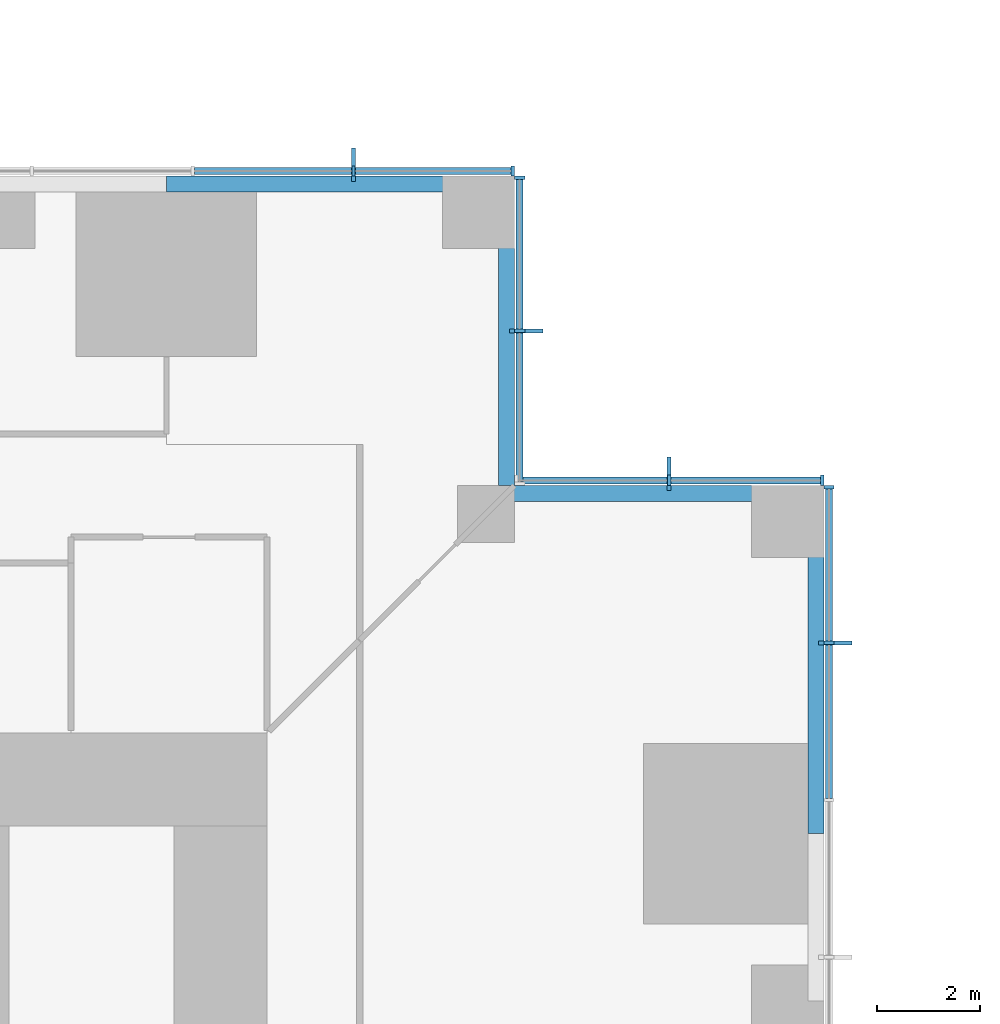
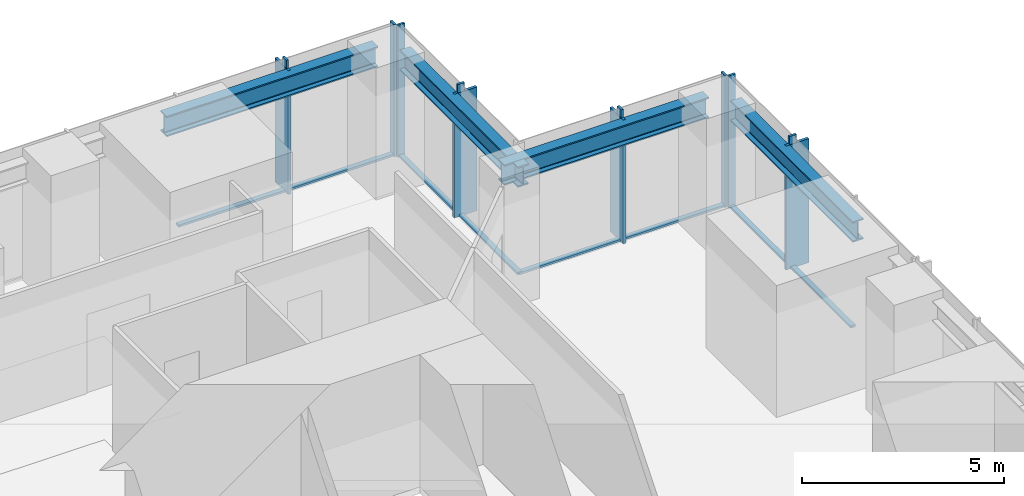
# One storey, part 6 of 15: 20 members, 4 beams, 4 elements without a shape of their own.
"""IFC4 building model written with IfcOpenShell, lengths in metres."""

from ifc_helpers import new_model, si_unit, direction, frame, origin, origin_2d, place, context, subcontext, project, spatial, rectangle, i_section, extrude, material, material_profile, profile_set, type_object, element, aggregate, save


model = new_model("IFC4")

# Units and contexts
model_context = context("Model", 3, precision=1e-05, world=origin(), true_north=direction((0.0, 1.0)))
body_context = subcontext(model_context, "Body", "Model", "MODEL_VIEW")
ifc_project = project(units=[si_unit("LENGTHUNIT", "METRE"), si_unit("AREAUNIT", "SQUARE_METRE"), si_unit("VOLUMEUNIT", "CUBIC_METRE"), si_unit("PLANEANGLEUNIT", "RADIAN"), si_unit("MASSUNIT", "GRAM", prefix="KILO")], contexts=[model_context])

# Site, building, storey
site_placement = place(None, origin())
site = spatial("IfcSite", under=ifc_project, at=site_placement, CompositionType="ELEMENT")
building_placement = place(site_placement, origin())
building = spatial("IfcBuilding", under=site, at=building_placement, Name="Svetlomir Tower", CompositionType="ELEMENT")
storey_placement = place(building_placement, frame((0.0, 0.0, 34.5)))
storey = spatial("IfcBuildingStorey", under=building, at=storey_placement, Name="L07", CompositionType="ELEMENT", Elevation=34.5)

# Curtain wall, member
ifc_material_1 = material(Name="Bronze anodised aluminium curtain wall", Category="aluminium")
curtain_wall_type = type_object("IfcCurtainWallType", Name="CURTAIN WALL CW1 TOWER OFFICE", PredefinedType="NOTDEFINED", material=ifc_material_1)
curtain_wall_1_placement = place(storey_placement, origin())
curtain_wall_1 = element("IfcCurtainWall", 1, at=curtain_wall_1_placement, inside=storey, type_object=curtain_wall_type, Name="Curtain wall CW1 L07", PredefinedType="NOTDEFINED")
ifc_material_2 = material(Name="Bronze anodised aluminium", Category="aluminium")
ifc_material_profile_1 = material_profile(ifc_material_2, rectangle(XDim=0.080078125, YDim=0.64990234375, at=origin_2d()), Name="FIN 80x650")
ifc_profile_set_1 = profile_set([ifc_material_profile_1], Name="Bronze anodised aluminium 6063-T6")
member_type_1 = type_object("IfcMemberType", Name="BRONZE FIN 80x650", PredefinedType="USERDEFINED", material=ifc_profile_set_1)
member_1_placement = place(storey_placement, frame((42.22509765625, 32.949951171875, 0.0), z_axis=(0.0, 0.0, 1.0), x_axis=(0.0, 1.0, 0.0)))
member_1 = element("IfcMember", 2, at=member_1_placement, type_object=member_type_1, Name="Bronze fin L07", ObjectType="FIN", PredefinedType="USERDEFINED", context=body_context, shape_type="SweptSolid", body=[
    extrude(rectangle(XDim=0.080078125, YDim=0.64990234375, at=origin_2d()), origin(), (0.0, 0.0, 1.0), 3.75),
])

curtain_wall_2_placement = place(storey_placement, origin())
curtain_wall_2 = element("IfcCurtainWall", 3, at=curtain_wall_2_placement, inside=storey, type_object=curtain_wall_type, Name="Curtain wall CW1 L07", PredefinedType="NOTDEFINED")
member_2_placement = place(storey_placement, frame((39.0, 36.22509765625, 0.0), z_axis=(0.0, 0.0, 1.0), x_axis=(1.0, 0.0, 0.0)))
member_2 = element("IfcMember", 4, at=member_2_placement, type_object=member_type_1, Name="Bronze fin L07", ObjectType="FIN", PredefinedType="USERDEFINED", context=body_context, shape_type="SweptSolid", body=[
    extrude(rectangle(XDim=0.080078125, YDim=0.64990234375, at=origin_2d()), origin(), (0.0, 0.0, 1.0), 3.75),
])

curtain_wall_3_placement = place(storey_placement, origin())
curtain_wall_3 = element("IfcCurtainWall", 5, at=curtain_wall_3_placement, inside=storey, type_object=curtain_wall_type, Name="Curtain wall CW1 L07", PredefinedType="NOTDEFINED")
member_3_placement = place(storey_placement, frame((36.22509765625, 39.0, 0.0), z_axis=(0.0, 0.0, 1.0), x_axis=(0.0, 1.0, 0.0)))
member_3 = element("IfcMember", 6, at=member_3_placement, type_object=member_type_1, Name="Bronze fin L07", ObjectType="FIN", PredefinedType="USERDEFINED", context=body_context, shape_type="SweptSolid", body=[
    extrude(rectangle(XDim=0.080078125, YDim=0.64990234375, at=origin_2d()), origin(), (0.0, 0.0, 1.0), 3.75),
])

curtain_wall_4_placement = place(storey_placement, origin())
curtain_wall_4 = element("IfcCurtainWall", 7, at=curtain_wall_4_placement, inside=storey, type_object=curtain_wall_type, Name="Curtain wall CW1 L07", PredefinedType="NOTDEFINED")
member_4_placement = place(storey_placement, frame((32.8798828125, 42.22509765625, 0.0), z_axis=(0.0, 0.0, 1.0), x_axis=(1.0, 0.0, 0.0)))
member_4 = element("IfcMember", 8, at=member_4_placement, type_object=member_type_1, Name="Bronze fin L07", ObjectType="FIN", PredefinedType="USERDEFINED", context=body_context, shape_type="SweptSolid", body=[
    extrude(rectangle(XDim=0.080078125, YDim=0.64990234375, at=origin_2d()), origin(), (0.0, 0.0, 1.0), 3.75),
])

# Member
ifc_material_3 = material(Name="Bronze anodised aluminium", Category="aluminium")
ifc_material_profile_2 = material_profile(ifc_material_3, rectangle(XDim=0.06494140625, YDim=0.199951171875, at=origin_2d()), Name="AL 65x200")
ifc_profile_set_2 = profile_set([ifc_material_profile_2], Name="Bronze anodised aluminium 6063-T6")
member_type_2 = type_object("IfcMemberType", Name="CW1 MULLION 65x200", PredefinedType="MULLION", material=ifc_profile_set_2)
member_5_placement = place(storey_placement, frame((42.10009765625, 32.949951171875, 0.0), z_axis=(0.0, 0.0, 1.0), x_axis=(0.0, 1.0, 0.0)))
member_5 = element("IfcMember", 9, at=member_5_placement, type_object=member_type_2, Name="CW1 mullion 8", PredefinedType="MULLION", context=body_context, shape_type="SweptSolid", body=[
    extrude(rectangle(XDim=0.06494140625, YDim=0.199951171875, at=origin_2d()), origin(), (0.0, 0.0, 1.0), 4.0),
])

member_6_placement = place(storey_placement, frame((42.10009765625, 35.967529296875, 0.0), z_axis=(0.0, 0.0, 1.0), x_axis=(0.0, 1.0, 0.0)))
member_6 = element("IfcMember", 10, at=member_6_placement, type_object=member_type_2, Name="CW1 mullion 9", PredefinedType="MULLION", context=body_context, shape_type="SweptSolid", body=[
    extrude(rectangle(XDim=0.06494140625, YDim=0.199951171875, at=origin_2d()), origin(), (0.0, 0.0, 1.0), 4.0),
])

member_7_placement = place(storey_placement, frame((41.967529296875, 36.10009765625, 0.0), z_axis=(0.0, 0.0, 1.0), x_axis=(-1.0, 0.0, 0.0)))
member_7 = element("IfcMember", 11, at=member_7_placement, type_object=member_type_2, Name="CW1 mullion 1", PredefinedType="MULLION", context=body_context, shape_type="SweptSolid", body=[
    extrude(rectangle(XDim=0.06494140625, YDim=0.199951171875, at=origin_2d()), origin(), (0.0, 0.0, 1.0), 4.0),
])

member_8_placement = place(storey_placement, frame((39.0, 36.10009765625, 0.0), z_axis=(0.0, 0.0, 1.0), x_axis=(-1.0, 0.0, 0.0)))
member_8 = element("IfcMember", 12, at=member_8_placement, type_object=member_type_2, Name="CW1 mullion 2", PredefinedType="MULLION", context=body_context, shape_type="SweptSolid", body=[
    extrude(rectangle(XDim=0.06494140625, YDim=0.199951171875, at=origin_2d()), origin(), (0.0, 0.0, 1.0), 4.0),
])

member_9_placement = place(storey_placement, frame((36.10009765625, 39.0, 0.0), z_axis=(0.0, 0.0, 1.0), x_axis=(0.0, 1.0, 0.0)))
member_9 = element("IfcMember", 13, at=member_9_placement, type_object=member_type_2, Name="CW1 mullion 2", PredefinedType="MULLION", context=body_context, shape_type="SweptSolid", body=[
    extrude(rectangle(XDim=0.06494140625, YDim=0.199951171875, at=origin_2d()), origin(), (0.0, 0.0, 1.0), 4.0),
])

member_10_placement = place(storey_placement, frame((36.10009765625, 41.967529296875, 0.0), z_axis=(0.0, 0.0, 1.0), x_axis=(0.0, 1.0, 0.0)))
member_10 = element("IfcMember", 14, at=member_10_placement, type_object=member_type_2, Name="CW1 mullion 3", PredefinedType="MULLION", context=body_context, shape_type="SweptSolid", body=[
    extrude(rectangle(XDim=0.06494140625, YDim=0.199951171875, at=origin_2d()), origin(), (0.0, 0.0, 1.0), 4.0),
])

member_11_placement = place(storey_placement, frame((35.967529296875, 42.10009765625, 0.0), z_axis=(0.0, 0.0, 1.0), x_axis=(-1.0, 0.0, 0.0)))
member_11 = element("IfcMember", 15, at=member_11_placement, type_object=member_type_2, Name="CW1 mullion 1", PredefinedType="MULLION", context=body_context, shape_type="SweptSolid", body=[
    extrude(rectangle(XDim=0.06494140625, YDim=0.199951171875, at=origin_2d()), origin(), (0.0, 0.0, 1.0), 4.0),
])

member_12_placement = place(storey_placement, frame((32.8798828125, 42.10009765625, 0.0), z_axis=(0.0, 0.0, 1.0), x_axis=(-1.0, 0.0, 0.0)))
member_12 = element("IfcMember", 16, at=member_12_placement, type_object=member_type_2, Name="CW1 mullion 2", PredefinedType="MULLION", context=body_context, shape_type="SweptSolid", body=[
    extrude(rectangle(XDim=0.06494140625, YDim=0.199951171875, at=origin_2d()), origin(), (0.0, 0.0, 1.0), 4.0),
])

ifc_material_4 = material(Name="Bronze anodised aluminium", Category="aluminium")
ifc_material_profile_3 = material_profile(ifc_material_4, rectangle(XDim=0.139892578125, YDim=0.06494140625, at=origin_2d()), Name="AL 140x65")
ifc_profile_set_3 = profile_set([ifc_material_profile_3], Name="Bronze anodised aluminium 6063-T6")
member_type_3 = type_object("IfcMemberType", Name="CW1 TRANSOM 65x140", PredefinedType="USERDEFINED", material=ifc_profile_set_3)
member_13_placement = place(storey_placement, frame((42.10009765625, 29.9326171875, 0.032470703125), z_axis=(0.0, 1.0, 0.0), x_axis=(-1.0, 0.0, 0.0)))
member_13 = element("IfcMember", 17, at=member_13_placement, type_object=member_type_3, Name="CW1 transom 7.1", ObjectType="TRANSOM", PredefinedType="USERDEFINED", context=body_context, shape_type="SweptSolid", body=[
    extrude(rectangle(XDim=0.139892578125, YDim=0.06494140625, at=origin_2d()), origin(), (0.0, 0.0, 1.0), 2.98486328125),
])

member_14_placement = place(storey_placement, frame((42.10009765625, 32.982421875, 0.032470703125), z_axis=(0.0, 1.0, 0.0), x_axis=(-1.0, 0.0, 0.0)))
member_14 = element("IfcMember", 18, at=member_14_placement, type_object=member_type_3, Name="CW1 transom 8.1", ObjectType="TRANSOM", PredefinedType="USERDEFINED", context=body_context, shape_type="SweptSolid", body=[
    extrude(rectangle(XDim=0.139892578125, YDim=0.06494140625, at=origin_2d()), origin(), (0.0, 0.0, 1.0), 2.95263671875),
])

aggregate(curtain_wall_1, [member_5, member_6, member_13, member_14, member_1])

member_15_placement = place(storey_placement, frame((41.93505859375, 36.10009765625, 0.032470703125), z_axis=(-1.0, 0.0, 0.0), x_axis=(0.0, -1.0, 0.0)))
member_15 = element("IfcMember", 19, at=member_15_placement, type_object=member_type_3, Name="CW1 transom 1.1", ObjectType="TRANSOM", PredefinedType="USERDEFINED", context=body_context, shape_type="SweptSolid", body=[
    extrude(rectangle(XDim=0.139892578125, YDim=0.06494140625, at=origin_2d()), origin(), (0.0, 0.0, 1.0), 2.902587890625),
])

member_16_placement = place(storey_placement, frame((38.967529296875, 36.10009765625, 0.032470703125), z_axis=(-1.0, 0.0, 0.0), x_axis=(0.0, -1.0, 0.0)))
member_16 = element("IfcMember", 20, at=member_16_placement, type_object=member_type_3, Name="CW1 transom 2.1", ObjectType="TRANSOM", PredefinedType="USERDEFINED", context=body_context, shape_type="SweptSolid", body=[
    extrude(rectangle(XDim=0.139892578125, YDim=0.06494140625, at=origin_2d()), origin(), (0.0, 0.0, 1.0), 2.902587890625),
])

aggregate(curtain_wall_2, [member_7, member_8, member_15, member_16, member_2])

member_17_placement = place(storey_placement, frame((36.10009765625, 36.06494140625, 0.032470703125), z_axis=(0.0, 1.0, 0.0), x_axis=(-1.0, 0.0, 0.0)))
member_17 = element("IfcMember", 21, at=member_17_placement, type_object=member_type_3, Name="CW1 transom 1.1", ObjectType="TRANSOM", PredefinedType="USERDEFINED", context=body_context, shape_type="SweptSolid", body=[
    extrude(rectangle(XDim=0.139892578125, YDim=0.06494140625, at=origin_2d()), origin(), (0.0, 0.0, 1.0), 2.902587890625),
])

member_18_placement = place(storey_placement, frame((36.10009765625, 39.032470703125, 0.032470703125), z_axis=(0.0, 1.0, 0.0), x_axis=(-1.0, 0.0, 0.0)))
member_18 = element("IfcMember", 22, at=member_18_placement, type_object=member_type_3, Name="CW1 transom 2.1", ObjectType="TRANSOM", PredefinedType="USERDEFINED", context=body_context, shape_type="SweptSolid", body=[
    extrude(rectangle(XDim=0.139892578125, YDim=0.06494140625, at=origin_2d()), origin(), (0.0, 0.0, 1.0), 2.902587890625),
])

aggregate(curtain_wall_3, [member_9, member_10, member_17, member_18, member_3])

member_19_placement = place(storey_placement, frame((35.93505859375, 42.10009765625, 0.032470703125), z_axis=(-1.0, 0.0, 0.0), x_axis=(0.0, -1.0, 0.0)))
member_19 = element("IfcMember", 23, at=member_19_placement, type_object=member_type_3, Name="CW1 transom 1.1", ObjectType="TRANSOM", PredefinedType="USERDEFINED", context=body_context, shape_type="SweptSolid", body=[
    extrude(rectangle(XDim=0.139892578125, YDim=0.06494140625, at=origin_2d()), origin(), (0.0, 0.0, 1.0), 3.0224609375),
])

member_20_placement = place(storey_placement, frame((32.847412109375, 42.10009765625, 0.032470703125), z_axis=(-1.0, 0.0, 0.0), x_axis=(0.0, -1.0, 0.0)))
member_20 = element("IfcMember", 24, at=member_20_placement, type_object=member_type_3, Name="CW1 transom 2.1", ObjectType="TRANSOM", PredefinedType="USERDEFINED", context=body_context, shape_type="SweptSolid", body=[
    extrude(rectangle(XDim=0.139892578125, YDim=0.06494140625, at=origin_2d()), origin(), (0.0, 0.0, 1.0), 3.054931640625),
])

aggregate(curtain_wall_4, [member_11, member_12, member_19, member_20, member_4])

# Beams
ifc_material_5 = material(Name="Steel S355", Category="steel")
ifc_material_profile_4 = material_profile(ifc_material_5, i_section(OverallWidth=0.304931640625, OverallDepth=0.6201171875, WebThickness=0.02099609375, FlangeThickness=0.0400390625, FilletRadius=0.027099609375, at=origin_2d()), Name="HEM 600")
ifc_profile_set_4 = profile_set([ifc_material_profile_4], Name="Steel S355")
beam_type = type_object("IfcBeamType", Name="EDGE BEAM HEM 600", PredefinedType="SPANDREL", material=ifc_profile_set_4)
for number, where, z_axis, x_axis, name in (
    (25, (41.847412109375, 29.25, 3.43994140625), (0.0, 1.0, 0.0), (-1.0, 0.0, 0.0), "Edge beam 42/31 to 42/36 under L08"),
    (26, (29.25, 41.847412109375, 3.43994140625), (1.0, 0.0, 0.0), (0.0, 1.0, 0.0), "Edge beam 31/42 to 36/42 under L08"),
):
    element("IfcBeam", number, at=place(storey_placement, frame(where, z_axis=z_axis, x_axis=x_axis)), inside=storey, type_object=beam_type, Name=name, PredefinedType="SPANDREL", context=body_context, shape_type="SweptSolid", body=[
        extrude(i_section(OverallWidth=0.304931640625, OverallDepth=0.6201171875, WebThickness=0.02099609375, FlangeThickness=0.0400390625, FilletRadius=0.027099609375, at=origin_2d()), origin(), (0.0, 0.0, 1.0), 6.050048828125),
    ])
for number, where, z_axis, x_axis, name in (
    (27, (35.847412109375, 41.300048828125, 3.43994140625), (0.0, -1.0, 0.0), (1.0, 0.0, 0.0), "Edge beam 36/42 to 36/36 under L08"),
    (28, (41.300048828125, 35.847412109375, 3.43994140625), (-1.0, 0.0, 0.0), (0.0, -1.0, 0.0), "Edge beam 42/36 to 36/36 under L08"),
):
    element("IfcBeam", number, at=place(storey_placement, frame(where, z_axis=z_axis, x_axis=x_axis)), inside=storey, type_object=beam_type, Name=name, PredefinedType="SPANDREL", context=body_context, shape_type="SweptSolid", body=[
        extrude(i_section(OverallWidth=0.304931640625, OverallDepth=0.6201171875, WebThickness=0.02099609375, FlangeThickness=0.0400390625, FilletRadius=0.027099609375, at=origin_2d()), origin(), (0.0, 0.0, 1.0), 5.85009765625),
    ])

save(model, "model.ifc")
